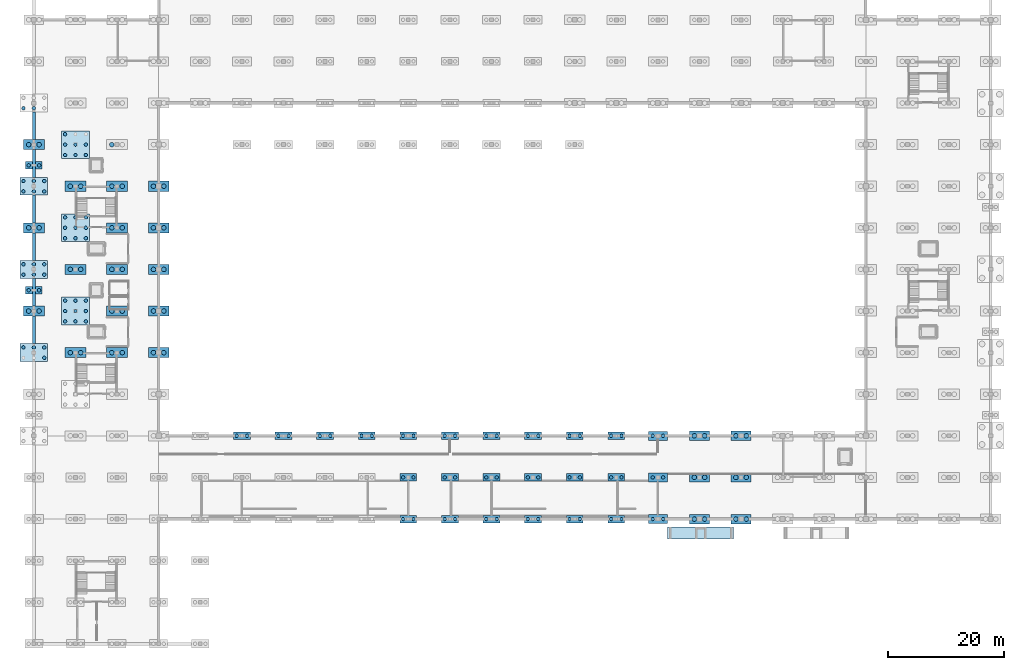
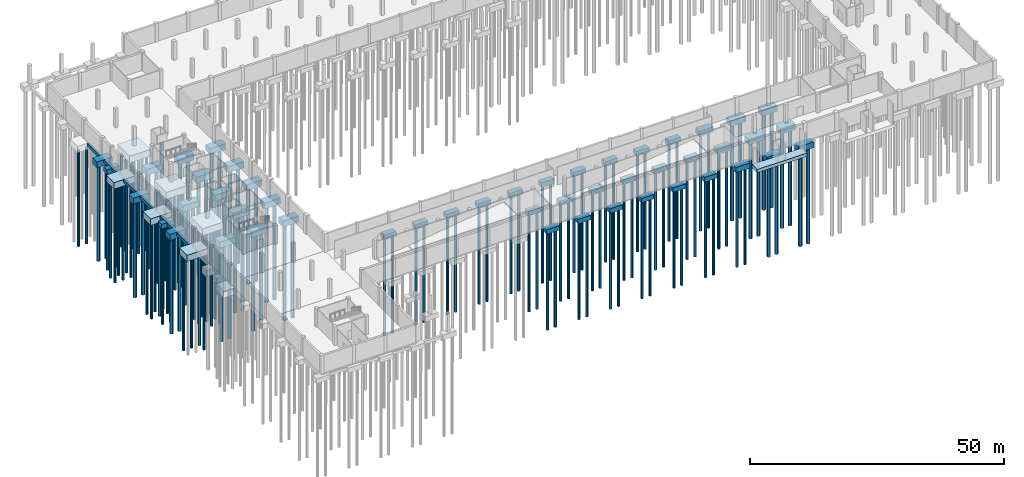
# One storey, part 2 of 18: 142 piles, 62 footings.
"""IFC4 building model written with IfcOpenShell, lengths in metres."""

from ifc_helpers import new_model, si_unit, direction, frame, origin, origin_2d, place, context, subcontext, project, spatial, rectangle, circle, extrude, material, material_profile, profile_set, type_object, element, save


model = new_model("IFC4")

# Units and contexts
model_context = context("Model", 3, precision=1e-05, world=origin(), true_north=direction((0.0, 1.0)))
body_context = subcontext(model_context, "Body", "Model", "MODEL_VIEW")
ifc_project = project(units=[si_unit("LENGTHUNIT", "METRE"), si_unit("AREAUNIT", "SQUARE_METRE"), si_unit("VOLUMEUNIT", "CUBIC_METRE"), si_unit("PLANEANGLEUNIT", "RADIAN"), si_unit("MASSUNIT", "GRAM", prefix="KILO")], contexts=[model_context])

# Site, building, storey
site_placement = place(None, origin())
site = spatial("IfcSite", under=ifc_project, at=site_placement, CompositionType="ELEMENT")
building_placement = place(site_placement, origin())
building = spatial("IfcBuilding", under=site, at=building_placement, Name="Kangsadwip Square Police Headquarters", CompositionType="ELEMENT")
storey_placement = place(building_placement, frame((0.0, 0.0, -4.5)))
storey = spatial("IfcBuildingStorey", under=building, at=storey_placement, Name="B1", CompositionType="ELEMENT", Elevation=-4.5)

# Footing
ifc_material_1 = material(Name="Concrete M35 (35 MPa)", Category="concrete")
footing_type_1 = type_object("IfcFootingType", Name="AccRampPadFooting800", PredefinedType="PAD_FOOTING", material=ifc_material_1)
footing_placement = place(storey_placement, frame((115.39990234375, 19.199951171875, -1.25), z_axis=(0.0, 0.0, 1.0), x_axis=(1.0, 0.0, 0.0)))
element("IfcFooting", 1, at=footing_placement, inside=storey, type_object=footing_type_1, Name="Accessible Ramp Pad Footing PF-AR-004", PredefinedType="PAD_FOOTING", context=body_context, shape_type="SweptSolid", body=[
    extrude(rectangle(XDim=11.39990234375, YDim=2.080078125, at=origin_2d()), origin(), (0.0, 0.0, 1.0), 0.800048828125),
])

# Piles
ifc_material_2 = material(Name="Concrete M30 (30 MPa)", Category="concrete")
ifc_material_profile_1 = material_profile(ifc_material_2, circle(Radius=0.300048828125, at=origin_2d()), Name="PILE DIA 600")
ifc_profile_set_1 = profile_set([ifc_material_profile_1], Name="Concrete M30 (30 MPa)")
pile_type_1 = type_object("IfcPileType", Name="BoredPileDia600", PredefinedType="BORED", material=ifc_profile_set_1)
for number, where, z_axis, x_axis, name in (
    (2, (1.800048828125, 49.5, -1.89990234375), (0.0, 0.0, -1.0), (1.0, 0.0, 0.0), "Bored Pile PILE-B1-0018-0495"),
    (3, (-1.800048828125, 51.300048828125, -1.89990234375), (0.0, 0.0, -1.0), (1.0, 0.0, 0.0), "Bored Pile PILE-B1--018-0513"),
    (4, (0.0, 51.300048828125, -1.89990234375), (0.0, 0.0, -1.0), (1.0, 0.0, 0.0), "Bored Pile PILE-B1-0000-0513"),
    (5, (1.800048828125, 51.300048828125, -1.89990234375), (0.0, 0.0, -1.0), (1.0, 0.0, 0.0), "Bored Pile PILE-B1-0018-0513"),
    (6, (-1.800048828125, 63.89990234375, -1.89990234375), (0.0, 0.0, -1.0), (1.0, 0.0, 0.0), "Bored Pile PILE-B1--018-0639"),
    (7, (0.0, 63.89990234375, -1.89990234375), (0.0, 0.0, -1.0), (1.0, 0.0, 0.0), "Bored Pile PILE-B1-0000-0639"),
    (8, (1.800048828125, 63.89990234375, -1.89990234375), (0.0, 0.0, -1.0), (1.0, 0.0, 0.0), "Bored Pile PILE-B1-0018-0639"),
    (9, (-1.800048828125, 65.699951171875, -1.89990234375), (0.0, 0.0, -1.0), (1.0, 0.0, 0.0), "Bored Pile PILE-B1--018-0657"),
    (10, (0.0, 65.699951171875, -1.89990234375), (0.0, 0.0, -1.0), (1.0, 0.0, 0.0), "Bored Pile PILE-B1-0000-0657"),
    (11, (1.800048828125, 65.699951171875, -1.89990234375), (0.0, 0.0, -1.0), (1.0, 0.0, 0.0), "Bored Pile PILE-B1-0018-0657"),
    (12, (-1.800048828125, 78.300048828125, -1.89990234375), (0.0, 0.0, -1.0), (1.0, 0.0, 0.0), "Bored Pile PILE-B1--018-0783"),
    (13, (0.0, 78.300048828125, -1.89990234375), (0.0, 0.0, -1.0), (1.0, 0.0, 0.0), "Bored Pile PILE-B1-0000-0783"),
    (14, (1.800048828125, 78.300048828125, -1.89990234375), (0.0, 0.0, -1.0), (1.0, 0.0, 0.0), "Bored Pile PILE-B1-0018-0783"),
    (15, (-1.800048828125, 80.10009765625, -1.89990234375), (0.0, 0.0, -1.0), (1.0, 0.0, 0.0), "Bored Pile PILE-B1--018-0801"),
    (16, (0.0, 80.10009765625, -1.89990234375), (0.0, 0.0, -1.0), (1.0, 0.0, 0.0), "Bored Pile PILE-B1-0000-0801"),
    (17, (1.800048828125, 80.10009765625, -1.89990234375), (0.0, 0.0, -1.0), (1.0, 0.0, 0.0), "Bored Pile PILE-B1-0018-0801"),
    (18, (-1.800048828125, 92.699951171875, -1.89990234375), (0.0, 0.0, -1.0), (1.0, 0.0, 0.0), "Bored Pile PILE-B1--018-0927"),
    (19, (0.0, 92.699951171875, -1.89990234375), (0.0, 0.0, -1.0), (1.0, 0.0, 0.0), "Bored Pile PILE-B1-0000-0927"),
):
    element("IfcPile", number, at=place(storey_placement, frame(where, z_axis=z_axis, x_axis=x_axis)), inside=storey, type_object=pile_type_1, Name=name, PredefinedType="BORED", context=body_context, shape_type="SweptSolid", body=[
        extrude(circle(Radius=0.300048828125, at=origin_2d()), origin(), (0.0, 0.0, 1.0), 23.10009765625),
    ])
for number, where, z_axis, x_axis, name in (
    (20, (5.39990234375, 55.800048828125, -2.0), (0.0, 0.0, -1.0), (1.0, 0.0, 0.0), "Bored Pile PILE-B1-0054-0558"),
    (21, (7.199951171875, 55.800048828125, -2.0), (0.0, 0.0, -1.0), (1.0, 0.0, 0.0), "Bored Pile PILE-B1-0072-0558"),
    (22, (9.0, 55.800048828125, -2.0), (0.0, 0.0, -1.0), (1.0, 0.0, 0.0), "Bored Pile PILE-B1-0090-0558"),
    (23, (5.39990234375, 57.60009765625, -2.0), (0.0, 0.0, -1.0), (1.0, 0.0, 0.0), "Bored Pile PILE-B1-0054-0576"),
    (24, (7.199951171875, 57.60009765625, -2.0), (0.0, 0.0, -1.0), (1.0, 0.0, 0.0), "Bored Pile PILE-B1-0072-0576"),
    (25, (9.0, 57.60009765625, -2.0), (0.0, 0.0, -1.0), (1.0, 0.0, 0.0), "Bored Pile PILE-B1-0090-0576"),
    (26, (5.39990234375, 59.39990234375, -2.0), (0.0, 0.0, -1.0), (1.0, 0.0, 0.0), "Bored Pile PILE-B1-0054-0594"),
    (27, (7.199951171875, 59.39990234375, -2.0), (0.0, 0.0, -1.0), (1.0, 0.0, 0.0), "Bored Pile PILE-B1-0072-0594"),
    (28, (9.0, 59.39990234375, -2.0), (0.0, 0.0, -1.0), (1.0, 0.0, 0.0), "Bored Pile PILE-B1-0090-0594"),
    (29, (5.39990234375, 70.199951171875, -2.0), (0.0, 0.0, -1.0), (1.0, 0.0, 0.0), "Bored Pile PILE-B1-0054-0702"),
    (30, (7.199951171875, 70.199951171875, -2.0), (0.0, 0.0, -1.0), (1.0, 0.0, 0.0), "Bored Pile PILE-B1-0072-0702"),
    (31, (9.0, 70.199951171875, -2.0), (0.0, 0.0, -1.0), (1.0, 0.0, 0.0), "Bored Pile PILE-B1-0090-0702"),
    (32, (5.39990234375, 72.0, -2.0), (0.0, 0.0, -1.0), (1.0, 0.0, 0.0), "Bored Pile PILE-B1-0054-0720"),
    (33, (7.199951171875, 72.0, -2.0), (0.0, 0.0, -1.0), (1.0, 0.0, 0.0), "Bored Pile PILE-B1-0072-0720"),
    (34, (9.0, 72.0, -2.0), (0.0, 0.0, -1.0), (1.0, 0.0, 0.0), "Bored Pile PILE-B1-0090-0720"),
    (35, (5.39990234375, 73.800048828125, -2.0), (0.0, 0.0, -1.0), (1.0, 0.0, 0.0), "Bored Pile PILE-B1-0054-0738"),
    (36, (7.199951171875, 73.800048828125, -2.0), (0.0, 0.0, -1.0), (1.0, 0.0, 0.0), "Bored Pile PILE-B1-0072-0738"),
    (37, (9.0, 73.800048828125, -2.0), (0.0, 0.0, -1.0), (1.0, 0.0, 0.0), "Bored Pile PILE-B1-0090-0738"),
    (38, (5.39990234375, 84.60009765625, -2.0), (0.0, 0.0, -1.0), (1.0, 0.0, 0.0), "Bored Pile PILE-B1-0054-0846"),
    (39, (7.199951171875, 84.60009765625, -2.0), (0.0, 0.0, -1.0), (1.0, 0.0, 0.0), "Bored Pile PILE-B1-0072-0846"),
    (40, (9.0, 84.60009765625, -2.0), (0.0, 0.0, -1.0), (1.0, 0.0, 0.0), "Bored Pile PILE-B1-0090-0846"),
    (41, (5.39990234375, 86.39990234375, -2.0), (0.0, 0.0, -1.0), (1.0, 0.0, 0.0), "Bored Pile PILE-B1-0054-0864"),
    (42, (7.199951171875, 86.39990234375, -2.0), (0.0, 0.0, -1.0), (1.0, 0.0, 0.0), "Bored Pile PILE-B1-0072-0864"),
    (43, (9.0, 86.39990234375, -2.0), (0.0, 0.0, -1.0), (1.0, 0.0, 0.0), "Bored Pile PILE-B1-0090-0864"),
    (44, (5.39990234375, 88.199951171875, -2.0), (0.0, 0.0, -1.0), (1.0, 0.0, 0.0), "Bored Pile PILE-B1-0054-0882"),
):
    element("IfcPile", number, at=place(storey_placement, frame(where, z_axis=z_axis, x_axis=x_axis)), inside=storey, type_object=pile_type_1, Name=name, PredefinedType="BORED", context=body_context, shape_type="SweptSolid", body=[
        extrude(circle(Radius=0.300048828125, at=origin_2d()), origin(), (0.0, 0.0, 1.0), 23.0),
    ])
for number, where, z_axis, x_axis, name in (
    (45, (35.10009765625, 36.0, -1.449951171875), (0.0, 0.0, -1.0), (1.0, 0.0, 0.0), "Bored Pile PILE-B1-0351-0360"),
    (46, (36.89990234375, 36.0, -1.449951171875), (0.0, 0.0, -1.0), (1.0, 0.0, 0.0), "Bored Pile PILE-B1-0369-0360"),
    (47, (42.300048828125, 36.0, -1.449951171875), (0.0, 0.0, -1.0), (1.0, 0.0, 0.0), "Bored Pile PILE-B1-0423-0360"),
    (48, (44.10009765625, 36.0, -1.449951171875), (0.0, 0.0, -1.0), (1.0, 0.0, 0.0), "Bored Pile PILE-B1-0441-0360"),
    (49, (49.5, 36.0, -1.449951171875), (0.0, 0.0, -1.0), (1.0, 0.0, 0.0), "Bored Pile PILE-B1-0495-0360"),
    (50, (51.300048828125, 36.0, -1.449951171875), (0.0, 0.0, -1.0), (1.0, 0.0, 0.0), "Bored Pile PILE-B1-0513-0360"),
    (51, (56.699951171875, 36.0, -1.449951171875), (0.0, 0.0, -1.0), (1.0, 0.0, 0.0), "Bored Pile PILE-B1-0567-0360"),
    (52, (58.5, 36.0, -1.449951171875), (0.0, 0.0, -1.0), (1.0, 0.0, 0.0), "Bored Pile PILE-B1-0585-0360"),
    (53, (63.89990234375, 21.60009765625, -1.449951171875), (0.0, 0.0, -1.0), (1.0, 0.0, 0.0), "Bored Pile PILE-B1-0639-0216"),
    (54, (65.699951171875, 21.60009765625, -1.449951171875), (0.0, 0.0, -1.0), (1.0, 0.0, 0.0), "Bored Pile PILE-B1-0657-0216"),
    (55, (63.89990234375, 28.800048828125, -1.449951171875), (0.0, 0.0, -1.0), (1.0, 0.0, 0.0), "Bored Pile PILE-B1-0639-0288"),
    (56, (65.699951171875, 28.800048828125, -1.449951171875), (0.0, 0.0, -1.0), (1.0, 0.0, 0.0), "Bored Pile PILE-B1-0657-0288"),
    (57, (63.89990234375, 36.0, -1.449951171875), (0.0, 0.0, -1.0), (1.0, 0.0, 0.0), "Bored Pile PILE-B1-0639-0360"),
    (58, (65.699951171875, 36.0, -1.449951171875), (0.0, 0.0, -1.0), (1.0, 0.0, 0.0), "Bored Pile PILE-B1-0657-0360"),
    (59, (71.10009765625, 21.60009765625, -1.449951171875), (0.0, 0.0, -1.0), (1.0, 0.0, 0.0), "Bored Pile PILE-B1-0711-0216"),
    (60, (72.89990234375, 21.60009765625, -1.449951171875), (0.0, 0.0, -1.0), (1.0, 0.0, 0.0), "Bored Pile PILE-B1-0729-0216"),
    (61, (71.10009765625, 28.800048828125, -1.449951171875), (0.0, 0.0, -1.0), (1.0, 0.0, 0.0), "Bored Pile PILE-B1-0711-0288"),
    (62, (72.89990234375, 28.800048828125, -1.449951171875), (0.0, 0.0, -1.0), (1.0, 0.0, 0.0), "Bored Pile PILE-B1-0729-0288"),
    (63, (71.10009765625, 36.0, -1.449951171875), (0.0, 0.0, -1.0), (1.0, 0.0, 0.0), "Bored Pile PILE-B1-0711-0360"),
    (64, (72.89990234375, 36.0, -1.449951171875), (0.0, 0.0, -1.0), (1.0, 0.0, 0.0), "Bored Pile PILE-B1-0729-0360"),
    (65, (78.300048828125, 21.60009765625, -1.449951171875), (0.0, 0.0, -1.0), (1.0, 0.0, 0.0), "Bored Pile PILE-B1-0783-0216"),
    (66, (80.10009765625, 21.60009765625, -1.449951171875), (0.0, 0.0, -1.0), (1.0, 0.0, 0.0), "Bored Pile PILE-B1-0801-0216"),
    (67, (78.300048828125, 28.800048828125, -1.449951171875), (0.0, 0.0, -1.0), (1.0, 0.0, 0.0), "Bored Pile PILE-B1-0783-0288"),
    (68, (80.10009765625, 28.800048828125, -1.449951171875), (0.0, 0.0, -1.0), (1.0, 0.0, 0.0), "Bored Pile PILE-B1-0801-0288"),
    (69, (78.300048828125, 36.0, -1.449951171875), (0.0, 0.0, -1.0), (1.0, 0.0, 0.0), "Bored Pile PILE-B1-0783-0360"),
    (70, (80.10009765625, 36.0, -1.449951171875), (0.0, 0.0, -1.0), (1.0, 0.0, 0.0), "Bored Pile PILE-B1-0801-0360"),
    (71, (85.5, 21.60009765625, -1.449951171875), (0.0, 0.0, -1.0), (1.0, 0.0, 0.0), "Bored Pile PILE-B1-0855-0216"),
    (72, (87.300048828125, 21.60009765625, -1.449951171875), (0.0, 0.0, -1.0), (1.0, 0.0, 0.0), "Bored Pile PILE-B1-0873-0216"),
    (73, (85.5, 28.800048828125, -1.449951171875), (0.0, 0.0, -1.0), (1.0, 0.0, 0.0), "Bored Pile PILE-B1-0855-0288"),
    (74, (87.300048828125, 28.800048828125, -1.449951171875), (0.0, 0.0, -1.0), (1.0, 0.0, 0.0), "Bored Pile PILE-B1-0873-0288"),
    (75, (85.5, 36.0, -1.449951171875), (0.0, 0.0, -1.0), (1.0, 0.0, 0.0), "Bored Pile PILE-B1-0855-0360"),
    (76, (87.300048828125, 36.0, -1.449951171875), (0.0, 0.0, -1.0), (1.0, 0.0, 0.0), "Bored Pile PILE-B1-0873-0360"),
    (77, (92.699951171875, 21.60009765625, -1.449951171875), (0.0, 0.0, -1.0), (1.0, 0.0, 0.0), "Bored Pile PILE-B1-0927-0216"),
    (78, (94.5, 21.60009765625, -1.449951171875), (0.0, 0.0, -1.0), (1.0, 0.0, 0.0), "Bored Pile PILE-B1-0945-0216"),
    (79, (92.699951171875, 28.800048828125, -1.449951171875), (0.0, 0.0, -1.0), (1.0, 0.0, 0.0), "Bored Pile PILE-B1-0927-0288"),
    (80, (94.5, 28.800048828125, -1.449951171875), (0.0, 0.0, -1.0), (1.0, 0.0, 0.0), "Bored Pile PILE-B1-0945-0288"),
    (81, (92.699951171875, 36.0, -1.449951171875), (0.0, 0.0, -1.0), (1.0, 0.0, 0.0), "Bored Pile PILE-B1-0927-0360"),
    (82, (94.5, 36.0, -1.449951171875), (0.0, 0.0, -1.0), (1.0, 0.0, 0.0), "Bored Pile PILE-B1-0945-0360"),
    (83, (99.89990234375, 21.60009765625, -1.449951171875), (0.0, 0.0, -1.0), (1.0, 0.0, 0.0), "Bored Pile PILE-B1-0999-0216"),
    (84, (101.699951171875, 21.60009765625, -1.449951171875), (0.0, 0.0, -1.0), (1.0, 0.0, 0.0), "Bored Pile PILE-B1-1017-0216"),
    (85, (99.89990234375, 28.800048828125, -1.449951171875), (0.0, 0.0, -1.0), (1.0, 0.0, 0.0), "Bored Pile PILE-B1-0999-0288"),
    (86, (101.699951171875, 28.800048828125, -1.449951171875), (0.0, 0.0, -1.0), (1.0, 0.0, 0.0), "Bored Pile PILE-B1-1017-0288"),
    (87, (99.89990234375, 36.0, -1.449951171875), (0.0, 0.0, -1.0), (1.0, 0.0, 0.0), "Bored Pile PILE-B1-0999-0360"),
    (88, (101.699951171875, 36.0, -1.449951171875), (0.0, 0.0, -1.0), (1.0, 0.0, 0.0), "Bored Pile PILE-B1-1017-0360"),
):
    element("IfcPile", number, at=place(storey_placement, frame(where, z_axis=z_axis, x_axis=x_axis)), inside=storey, type_object=pile_type_1, Name=name, PredefinedType="BORED", context=body_context, shape_type="SweptSolid", body=[
        extrude(circle(Radius=0.300048828125, at=origin_2d()), origin(), (0.0, 0.0, 1.0), 23.550048828125),
    ])
for number, where, z_axis, x_axis, name in (
    (89, (107.10009765625, 21.60009765625, -1.60009765625), (0.0, 0.0, -1.0), (1.0, 0.0, 0.0), "Bored Pile PILE-B1-1071-0216"),
    (90, (108.89990234375, 21.60009765625, -1.60009765625), (0.0, 0.0, -1.0), (1.0, 0.0, 0.0), "Bored Pile PILE-B1-1089-0216"),
    (91, (107.10009765625, 28.800048828125, -1.60009765625), (0.0, 0.0, -1.0), (1.0, 0.0, 0.0), "Bored Pile PILE-B1-1071-0288"),
    (92, (108.89990234375, 28.800048828125, -1.60009765625), (0.0, 0.0, -1.0), (1.0, 0.0, 0.0), "Bored Pile PILE-B1-1089-0288"),
    (93, (107.10009765625, 36.0, -1.60009765625), (0.0, 0.0, -1.0), (1.0, 0.0, 0.0), "Bored Pile PILE-B1-1071-0360"),
    (94, (108.89990234375, 36.0, -1.60009765625), (0.0, 0.0, -1.0), (1.0, 0.0, 0.0), "Bored Pile PILE-B1-1089-0360"),
):
    element("IfcPile", number, at=place(storey_placement, frame(where, z_axis=z_axis, x_axis=x_axis)), inside=storey, type_object=pile_type_1, Name=name, PredefinedType="BORED", context=body_context, shape_type="SweptSolid", body=[
        extrude(circle(Radius=0.300048828125, at=origin_2d()), origin(), (0.0, 0.0, 1.0), 23.39990234375),
    ])
for number, where, z_axis, x_axis, name in (
    (95, (-0.89990234375, 61.199951171875, -1.449951171875), (0.0, 0.0, -1.0), (1.0, 0.0, 0.0), "Bored Pile PILE-B1--009-0612"),
    (96, (0.89990234375, 61.199951171875, -1.449951171875), (0.0, 0.0, -1.0), (1.0, 0.0, 0.0), "Bored Pile PILE-B1-0009-0612"),
    (97, (-0.89990234375, 82.800048828125, -1.449951171875), (0.0, 0.0, -1.0), (1.0, 0.0, 0.0), "Bored Pile PILE-B1--009-0828"),
    (98, (0.89990234375, 82.800048828125, -1.449951171875), (0.0, 0.0, -1.0), (1.0, 0.0, 0.0), "Bored Pile PILE-B1-0009-0828"),
):
    element("IfcPile", number, at=place(storey_placement, frame(where, z_axis=z_axis, x_axis=x_axis)), inside=storey, type_object=pile_type_1, Name=name, PredefinedType="BORED", context=body_context, shape_type="SweptSolid", body=[
        extrude(circle(Radius=0.300048828125, at=origin_2d()), origin(), (0.0, 0.0, 1.0), 23.550048828125),
    ])
ifc_material_3 = material(Name="Concrete M30 (30 MPa)", Category="concrete")
ifc_material_profile_2 = material_profile(ifc_material_3, circle(Radius=0.39990234375, at=origin_2d()), Name="PILE DIA 800")
ifc_profile_set_2 = profile_set([ifc_material_profile_2], Name="Concrete M30 (30 MPa)")
pile_type_2 = type_object("IfcPileType", Name="BoredPileDia800", PredefinedType="BORED", material=ifc_profile_set_2)
for number, where, z_axis, x_axis, name in (
    (99, (-0.89990234375, 57.60009765625, -1.800048828125), (0.0, 0.0, -1.0), (1.0, 0.0, 0.0), "Bored Pile PILE-B1--009-0576"),
    (100, (0.89990234375, 57.60009765625, -1.800048828125), (0.0, 0.0, -1.0), (1.0, 0.0, 0.0), "Bored Pile PILE-B1-0009-0576"),
    (101, (-0.89990234375, 72.0, -1.800048828125), (0.0, 0.0, -1.0), (1.0, 0.0, 0.0), "Bored Pile PILE-B1--009-0720"),
    (102, (0.89990234375, 72.0, -1.800048828125), (0.0, 0.0, -1.0), (1.0, 0.0, 0.0), "Bored Pile PILE-B1-0009-0720"),
    (103, (-0.89990234375, 86.39990234375, -1.800048828125), (0.0, 0.0, -1.0), (1.0, 0.0, 0.0), "Bored Pile PILE-B1--009-0864"),
    (104, (0.89990234375, 86.39990234375, -1.800048828125), (0.0, 0.0, -1.0), (1.0, 0.0, 0.0), "Bored Pile PILE-B1-0009-0864"),
    (105, (6.300048828125, 50.39990234375, -1.800048828125), (0.0, 0.0, -1.0), (1.0, 0.0, 0.0), "Bored Pile PILE-B1-0063-0504"),
    (106, (8.10009765625, 50.39990234375, -1.800048828125), (0.0, 0.0, -1.0), (1.0, 0.0, 0.0), "Bored Pile PILE-B1-0081-0504"),
    (107, (6.300048828125, 64.800048828125, -1.800048828125), (0.0, 0.0, -1.0), (1.0, 0.0, 0.0), "Bored Pile PILE-B1-0063-0648"),
    (108, (8.10009765625, 64.800048828125, -1.800048828125), (0.0, 0.0, -1.0), (1.0, 0.0, 0.0), "Bored Pile PILE-B1-0081-0648"),
    (109, (6.300048828125, 79.199951171875, -1.800048828125), (0.0, 0.0, -1.0), (1.0, 0.0, 0.0), "Bored Pile PILE-B1-0063-0792"),
    (110, (8.10009765625, 79.199951171875, -1.800048828125), (0.0, 0.0, -1.0), (1.0, 0.0, 0.0), "Bored Pile PILE-B1-0081-0792"),
    (111, (13.5, 50.39990234375, -1.800048828125), (0.0, 0.0, -1.0), (1.0, 0.0, 0.0), "Bored Pile PILE-B1-0135-0504"),
    (112, (15.300048828125, 50.39990234375, -1.800048828125), (0.0, 0.0, -1.0), (1.0, 0.0, 0.0), "Bored Pile PILE-B1-0153-0504"),
    (113, (13.5, 57.60009765625, -1.800048828125), (0.0, 0.0, -1.0), (1.0, 0.0, 0.0), "Bored Pile PILE-B1-0135-0576"),
    (114, (15.300048828125, 57.60009765625, -1.800048828125), (0.0, 0.0, -1.0), (1.0, 0.0, 0.0), "Bored Pile PILE-B1-0153-0576"),
    (115, (13.5, 64.800048828125, -1.800048828125), (0.0, 0.0, -1.0), (1.0, 0.0, 0.0), "Bored Pile PILE-B1-0135-0648"),
    (116, (15.300048828125, 64.800048828125, -1.800048828125), (0.0, 0.0, -1.0), (1.0, 0.0, 0.0), "Bored Pile PILE-B1-0153-0648"),
    (117, (13.5, 72.0, -1.800048828125), (0.0, 0.0, -1.0), (1.0, 0.0, 0.0), "Bored Pile PILE-B1-0135-0720"),
    (118, (15.300048828125, 72.0, -1.800048828125), (0.0, 0.0, -1.0), (1.0, 0.0, 0.0), "Bored Pile PILE-B1-0153-0720"),
    (119, (13.5, 79.199951171875, -1.800048828125), (0.0, 0.0, -1.0), (1.0, 0.0, 0.0), "Bored Pile PILE-B1-0135-0792"),
    (120, (15.300048828125, 79.199951171875, -1.800048828125), (0.0, 0.0, -1.0), (1.0, 0.0, 0.0), "Bored Pile PILE-B1-0153-0792"),
    (121, (13.5, 86.39990234375, -1.800048828125), (0.0, 0.0, -1.0), (1.0, 0.0, 0.0), "Bored Pile PILE-B1-0135-0864"),
    (122, (20.699951171875, 50.39990234375, -1.800048828125), (0.0, 0.0, -1.0), (1.0, 0.0, 0.0), "Bored Pile PILE-B1-0207-0504"),
    (123, (22.5, 50.39990234375, -1.800048828125), (0.0, 0.0, -1.0), (1.0, 0.0, 0.0), "Bored Pile PILE-B1-0225-0504"),
    (124, (20.699951171875, 57.60009765625, -1.800048828125), (0.0, 0.0, -1.0), (1.0, 0.0, 0.0), "Bored Pile PILE-B1-0207-0576"),
    (125, (22.5, 57.60009765625, -1.800048828125), (0.0, 0.0, -1.0), (1.0, 0.0, 0.0), "Bored Pile PILE-B1-0225-0576"),
    (126, (20.699951171875, 64.800048828125, -1.800048828125), (0.0, 0.0, -1.0), (1.0, 0.0, 0.0), "Bored Pile PILE-B1-0207-0648"),
    (127, (22.5, 64.800048828125, -1.800048828125), (0.0, 0.0, -1.0), (1.0, 0.0, 0.0), "Bored Pile PILE-B1-0225-0648"),
    (128, (20.699951171875, 72.0, -1.800048828125), (0.0, 0.0, -1.0), (1.0, 0.0, 0.0), "Bored Pile PILE-B1-0207-0720"),
    (129, (22.5, 72.0, -1.800048828125), (0.0, 0.0, -1.0), (1.0, 0.0, 0.0), "Bored Pile PILE-B1-0225-0720"),
    (130, (20.699951171875, 79.199951171875, -1.800048828125), (0.0, 0.0, -1.0), (1.0, 0.0, 0.0), "Bored Pile PILE-B1-0207-0792"),
    (131, (22.5, 79.199951171875, -1.800048828125), (0.0, 0.0, -1.0), (1.0, 0.0, 0.0), "Bored Pile PILE-B1-0225-0792"),
):
    element("IfcPile", number, at=place(storey_placement, frame(where, z_axis=z_axis, x_axis=x_axis)), inside=storey, type_object=pile_type_2, Name=name, PredefinedType="BORED", context=body_context, shape_type="SweptSolid", body=[
        extrude(circle(Radius=0.39990234375, at=origin_2d()), origin(), (0.0, 0.0, 1.0), 23.199951171875),
    ])
for number, where, z_axis, x_axis, name in (
    (132, (114.300048828125, 21.60009765625, -1.699951171875), (0.0, 0.0, -1.0), (1.0, 0.0, 0.0), "Bored Pile PILE-B1-1143-0216"),
    (133, (116.10009765625, 21.60009765625, -1.699951171875), (0.0, 0.0, -1.0), (1.0, 0.0, 0.0), "Bored Pile PILE-B1-1161-0216"),
    (134, (114.300048828125, 28.800048828125, -1.699951171875), (0.0, 0.0, -1.0), (1.0, 0.0, 0.0), "Bored Pile PILE-B1-1143-0288"),
    (135, (116.10009765625, 28.800048828125, -1.699951171875), (0.0, 0.0, -1.0), (1.0, 0.0, 0.0), "Bored Pile PILE-B1-1161-0288"),
    (136, (114.300048828125, 36.0, -1.699951171875), (0.0, 0.0, -1.0), (1.0, 0.0, 0.0), "Bored Pile PILE-B1-1143-0360"),
    (137, (116.10009765625, 36.0, -1.699951171875), (0.0, 0.0, -1.0), (1.0, 0.0, 0.0), "Bored Pile PILE-B1-1161-0360"),
    (138, (121.5, 21.60009765625, -1.699951171875), (0.0, 0.0, -1.0), (1.0, 0.0, 0.0), "Bored Pile PILE-B1-1215-0216"),
    (139, (123.300048828125, 21.60009765625, -1.699951171875), (0.0, 0.0, -1.0), (1.0, 0.0, 0.0), "Bored Pile PILE-B1-1233-0216"),
    (140, (121.5, 28.800048828125, -1.699951171875), (0.0, 0.0, -1.0), (1.0, 0.0, 0.0), "Bored Pile PILE-B1-1215-0288"),
    (141, (123.300048828125, 28.800048828125, -1.699951171875), (0.0, 0.0, -1.0), (1.0, 0.0, 0.0), "Bored Pile PILE-B1-1233-0288"),
    (142, (121.5, 36.0, -1.699951171875), (0.0, 0.0, -1.0), (1.0, 0.0, 0.0), "Bored Pile PILE-B1-1215-0360"),
    (143, (123.300048828125, 36.0, -1.699951171875), (0.0, 0.0, -1.0), (1.0, 0.0, 0.0), "Bored Pile PILE-B1-1233-0360"),
):
    element("IfcPile", number, at=place(storey_placement, frame(where, z_axis=z_axis, x_axis=x_axis)), inside=storey, type_object=pile_type_2, Name=name, PredefinedType="BORED", context=body_context, shape_type="SweptSolid", body=[
        extrude(circle(Radius=0.39990234375, at=origin_2d()), origin(), (0.0, 0.0, 1.0), 23.300048828125),
    ])

# Footings
ifc_material_4 = material(Name="Concrete M35 (35 MPa)", Category="concrete")
footing_type_2 = type_object("IfcFootingType", Name="PileCap2P2900x1300x1100", PredefinedType="PILE_CAP", material=ifc_material_4)
for number, where, z_axis, x_axis, name in (
    (144, (36.0, 36.0, -1.550048828125), (0.0, 0.0, 1.0), (1.0, 0.0, 0.0), "Pile Cap PC-B1-081"),
    (145, (43.199951171875, 36.0, -1.550048828125), (0.0, 0.0, 1.0), (1.0, 0.0, 0.0), "Pile Cap PC-B1-089"),
    (146, (50.39990234375, 36.0, -1.550048828125), (0.0, 0.0, 1.0), (1.0, 0.0, 0.0), "Pile Cap PC-B1-097"),
    (147, (57.60009765625, 36.0, -1.550048828125), (0.0, 0.0, 1.0), (1.0, 0.0, 0.0), "Pile Cap PC-B1-105"),
    (148, (64.800048828125, 21.60009765625, -1.550048828125), (0.0, 0.0, 1.0), (1.0, 0.0, 0.0), "Pile Cap PC-B1-111"),
    (149, (64.800048828125, 28.800048828125, -1.550048828125), (0.0, 0.0, 1.0), (1.0, 0.0, 0.0), "Pile Cap PC-B1-112"),
    (150, (64.800048828125, 36.0, -1.550048828125), (0.0, 0.0, 1.0), (1.0, 0.0, 0.0), "Pile Cap PC-B1-113"),
    (151, (72.0, 21.60009765625, -1.550048828125), (0.0, 0.0, 1.0), (1.0, 0.0, 0.0), "Pile Cap PC-B1-119"),
    (152, (72.0, 28.800048828125, -1.550048828125), (0.0, 0.0, 1.0), (1.0, 0.0, 0.0), "Pile Cap PC-B1-120"),
    (153, (72.0, 36.0, -1.550048828125), (0.0, 0.0, 1.0), (1.0, 0.0, 0.0), "Pile Cap PC-B1-121"),
    (154, (79.199951171875, 21.60009765625, -1.550048828125), (0.0, 0.0, 1.0), (1.0, 0.0, 0.0), "Pile Cap PC-B1-127"),
    (155, (79.199951171875, 28.800048828125, -1.550048828125), (0.0, 0.0, 1.0), (1.0, 0.0, 0.0), "Pile Cap PC-B1-128"),
    (156, (79.199951171875, 36.0, -1.550048828125), (0.0, 0.0, 1.0), (1.0, 0.0, 0.0), "Pile Cap PC-B1-129"),
    (157, (86.39990234375, 21.60009765625, -1.550048828125), (0.0, 0.0, 1.0), (1.0, 0.0, 0.0), "Pile Cap PC-B1-135"),
    (158, (86.39990234375, 28.800048828125, -1.550048828125), (0.0, 0.0, 1.0), (1.0, 0.0, 0.0), "Pile Cap PC-B1-136"),
    (159, (86.39990234375, 36.0, -1.550048828125), (0.0, 0.0, 1.0), (1.0, 0.0, 0.0), "Pile Cap PC-B1-137"),
    (160, (93.60009765625, 21.60009765625, -1.550048828125), (0.0, 0.0, 1.0), (1.0, 0.0, 0.0), "Pile Cap PC-B1-143"),
    (161, (93.60009765625, 28.800048828125, -1.550048828125), (0.0, 0.0, 1.0), (1.0, 0.0, 0.0), "Pile Cap PC-B1-144"),
    (162, (93.60009765625, 36.0, -1.550048828125), (0.0, 0.0, 1.0), (1.0, 0.0, 0.0), "Pile Cap PC-B1-145"),
    (163, (100.800048828125, 21.60009765625, -1.550048828125), (0.0, 0.0, 1.0), (1.0, 0.0, 0.0), "Pile Cap PC-B1-151"),
    (164, (100.800048828125, 28.800048828125, -1.550048828125), (0.0, 0.0, 1.0), (1.0, 0.0, 0.0), "Pile Cap PC-B1-152"),
    (165, (100.800048828125, 36.0, -1.550048828125), (0.0, 0.0, 1.0), (1.0, 0.0, 0.0), "Pile Cap PC-B1-153"),
    (166, (0.0, 61.199951171875, -1.550048828125), (0.0, 0.0, 1.0), (1.0, 0.0, 0.0), "Pile Cap PC-B1-250"),
    (167, (0.0, 82.800048828125, -1.550048828125), (0.0, 0.0, 1.0), (1.0, 0.0, 0.0), "Pile Cap PC-B1-251"),
):
    element("IfcFooting", number, at=place(storey_placement, frame(where, z_axis=z_axis, x_axis=x_axis)), inside=storey, type_object=footing_type_2, Name=name, PredefinedType="PILE_CAP", context=body_context, shape_type="SweptSolid", body=[
        extrude(rectangle(XDim=2.89990234375, YDim=1.300048828125, at=origin_2d()), origin(), (0.0, 0.0, 1.0), 1.10009765625),
    ])
ifc_material_5 = material(Name="Concrete M35 (35 MPa)", Category="concrete")
footing_type_3 = type_object("IfcFootingType", Name="PileCap2P3250x1550x1250", PredefinedType="PILE_CAP", material=ifc_material_5)
for number, where, z_axis, x_axis, name in (
    (168, (108.0, 21.60009765625, -1.699951171875), (0.0, 0.0, 1.0), (1.0, 0.0, 0.0), "Pile Cap PC-B1-158"),
    (169, (108.0, 28.800048828125, -1.699951171875), (0.0, 0.0, 1.0), (1.0, 0.0, 0.0), "Pile Cap PC-B1-159"),
    (170, (108.0, 36.0, -1.699951171875), (0.0, 0.0, 1.0), (1.0, 0.0, 0.0), "Pile Cap PC-B1-160"),
):
    element("IfcFooting", number, at=place(storey_placement, frame(where, z_axis=z_axis, x_axis=x_axis)), inside=storey, type_object=footing_type_3, Name=name, PredefinedType="PILE_CAP", context=body_context, shape_type="SweptSolid", body=[
        extrude(rectangle(XDim=3.25, YDim=1.550048828125, at=origin_2d()), origin(), (0.0, 0.0, 1.0), 1.25),
    ])
ifc_material_6 = material(Name="Concrete M35 (35 MPa)", Category="concrete")
footing_type_4 = type_object("IfcFootingType", Name="PileCap2P3500x1650x1350", PredefinedType="PILE_CAP", material=ifc_material_6)
for number, where, z_axis, x_axis, name in (
    (171, (115.199951171875, 21.60009765625, -1.800048828125), (0.0, 0.0, 1.0), (1.0, 0.0, 0.0), "Pile Cap PC-B1-165"),
    (172, (115.199951171875, 28.800048828125, -1.800048828125), (0.0, 0.0, 1.0), (1.0, 0.0, 0.0), "Pile Cap PC-B1-166"),
    (173, (115.199951171875, 36.0, -1.800048828125), (0.0, 0.0, 1.0), (1.0, 0.0, 0.0), "Pile Cap PC-B1-167"),
    (174, (122.39990234375, 21.60009765625, -1.800048828125), (0.0, 0.0, 1.0), (1.0, 0.0, 0.0), "Pile Cap PC-B1-172"),
    (175, (122.39990234375, 28.800048828125, -1.800048828125), (0.0, 0.0, 1.0), (1.0, 0.0, 0.0), "Pile Cap PC-B1-173"),
    (176, (122.39990234375, 36.0, -1.800048828125), (0.0, 0.0, 1.0), (1.0, 0.0, 0.0), "Pile Cap PC-B1-174"),
):
    element("IfcFooting", number, at=place(storey_placement, frame(where, z_axis=z_axis, x_axis=x_axis)), inside=storey, type_object=footing_type_4, Name=name, PredefinedType="PILE_CAP", context=body_context, shape_type="SweptSolid", body=[
        extrude(rectangle(XDim=3.5, YDim=1.64990234375, at=origin_2d()), origin(), (0.0, 0.0, 1.0), 1.35009765625),
    ])
ifc_material_7 = material(Name="Concrete M35 (35 MPa)", Category="concrete")
footing_type_5 = type_object("IfcFootingType", Name="PileCap2P3600x1750x1450", PredefinedType="PILE_CAP", material=ifc_material_7)
for number, where, z_axis, x_axis, name in (
    (177, (0.0, 57.60009765625, -1.89990234375), (0.0, 0.0, 1.0), (1.0, 0.0, 0.0), "Pile Cap PC-B1-009"),
    (178, (0.0, 72.0, -1.89990234375), (0.0, 0.0, 1.0), (1.0, 0.0, 0.0), "Pile Cap PC-B1-011"),
    (179, (0.0, 86.39990234375, -1.89990234375), (0.0, 0.0, 1.0), (1.0, 0.0, 0.0), "Pile Cap PC-B1-013"),
    (180, (7.199951171875, 50.39990234375, -1.89990234375), (0.0, 0.0, 1.0), (1.0, 0.0, 0.0), "Pile Cap PC-B1-025"),
    (181, (7.199951171875, 64.800048828125, -1.89990234375), (0.0, 0.0, 1.0), (1.0, 0.0, 0.0), "Pile Cap PC-B1-027"),
    (182, (7.199951171875, 79.199951171875, -1.89990234375), (0.0, 0.0, 1.0), (1.0, 0.0, 0.0), "Pile Cap PC-B1-029"),
    (183, (14.39990234375, 50.39990234375, -1.89990234375), (0.0, 0.0, 1.0), (1.0, 0.0, 0.0), "Pile Cap PC-B1-042"),
    (184, (14.39990234375, 57.60009765625, -1.89990234375), (0.0, 0.0, 1.0), (1.0, 0.0, 0.0), "Pile Cap PC-B1-043"),
    (185, (14.39990234375, 64.800048828125, -1.89990234375), (0.0, 0.0, 1.0), (1.0, 0.0, 0.0), "Pile Cap PC-B1-044"),
    (186, (14.39990234375, 72.0, -1.89990234375), (0.0, 0.0, 1.0), (1.0, 0.0, 0.0), "Pile Cap PC-B1-045"),
    (187, (14.39990234375, 79.199951171875, -1.89990234375), (0.0, 0.0, 1.0), (1.0, 0.0, 0.0), "Pile Cap PC-B1-046"),
    (188, (21.60009765625, 50.39990234375, -1.89990234375), (0.0, 0.0, 1.0), (1.0, 0.0, 0.0), "Pile Cap PC-B1-059"),
    (189, (21.60009765625, 57.60009765625, -1.89990234375), (0.0, 0.0, 1.0), (1.0, 0.0, 0.0), "Pile Cap PC-B1-060"),
    (190, (21.60009765625, 64.800048828125, -1.89990234375), (0.0, 0.0, 1.0), (1.0, 0.0, 0.0), "Pile Cap PC-B1-061"),
    (191, (21.60009765625, 72.0, -1.89990234375), (0.0, 0.0, 1.0), (1.0, 0.0, 0.0), "Pile Cap PC-B1-062"),
    (192, (21.60009765625, 79.199951171875, -1.89990234375), (0.0, 0.0, 1.0), (1.0, 0.0, 0.0), "Pile Cap PC-B1-063"),
):
    element("IfcFooting", number, at=place(storey_placement, frame(where, z_axis=z_axis, x_axis=x_axis)), inside=storey, type_object=footing_type_5, Name=name, PredefinedType="PILE_CAP", context=body_context, shape_type="SweptSolid", body=[
        extrude(rectangle(XDim=3.60009765625, YDim=1.75, at=origin_2d()), origin(), (0.0, 0.0, 1.0), 1.449951171875),
    ])
ifc_material_8 = material(Name="Concrete M35 (35 MPa)", Category="concrete")
footing_type_6 = type_object("IfcFootingType", Name="PileCap6P4800x3100x1550", PredefinedType="PILE_CAP", material=ifc_material_8)
for number, where, z_axis, x_axis, name in (
    (193, (0.0, 50.39990234375, -2.0), (0.0, 0.0, 1.0), (1.0, 0.0, 0.0), "Pile Cap PC-B1-008"),
    (194, (0.0, 64.800048828125, -2.0), (0.0, 0.0, 1.0), (1.0, 0.0, 0.0), "Pile Cap PC-B1-010"),
    (195, (0.0, 79.199951171875, -2.0), (0.0, 0.0, 1.0), (1.0, 0.0, 0.0), "Pile Cap PC-B1-012"),
):
    element("IfcFooting", number, at=place(storey_placement, frame(where, z_axis=z_axis, x_axis=x_axis)), inside=storey, type_object=footing_type_6, Name=name, PredefinedType="PILE_CAP", context=body_context, shape_type="SweptSolid", body=[
        extrude(rectangle(XDim=4.800048828125, YDim=3.10009765625, at=origin_2d()), origin(), (0.0, 0.0, 1.0), 1.550048828125),
    ])
ifc_material_9 = material(Name="Concrete M35 (35 MPa)", Category="concrete")
footing_type_7 = type_object("IfcFootingType", Name="PileCap9P4800x4800x1650", PredefinedType="PILE_CAP", material=ifc_material_9)
for number, where, z_axis, x_axis, name in (
    (196, (7.199951171875, 57.60009765625, -2.099853515625), (0.0, 0.0, 1.0), (1.0, 0.0, 0.0), "Pile Cap PC-B1-026"),
    (197, (7.199951171875, 72.0, -2.099853515625), (0.0, 0.0, 1.0), (1.0, 0.0, 0.0), "Pile Cap PC-B1-028"),
    (198, (7.199951171875, 86.39990234375, -2.099853515625), (0.0, 0.0, 1.0), (1.0, 0.0, 0.0), "Pile Cap PC-B1-030"),
):
    element("IfcFooting", number, at=place(storey_placement, frame(where, z_axis=z_axis, x_axis=x_axis)), inside=storey, type_object=footing_type_7, Name=name, PredefinedType="PILE_CAP", context=body_context, shape_type="SweptSolid", body=[
        extrude(rectangle(XDim=4.800048828125, YDim=4.800048828125, at=origin_2d()), origin(), (0.0, 0.0, 1.0), 1.64990234375),
    ])
ifc_material_10 = material(Name="Concrete M35 (35 MPa)", Category="concrete")
footing_type_8 = type_object("IfcFootingType", Name="TieGroundBeam4775x500", PredefinedType="FOOTING_BEAM", material=ifc_material_10)
for number, where, z_axis, x_axis, name in (
    (199, (0.0, 54.33740234375, -1.14990234375), (0.0, 0.0, 1.0), (0.0, 1.0, 0.0), "Foundation GB-B1-009"),
    (200, (0.0, 60.862548828125, -1.14990234375), (0.0, 0.0, 1.0), (0.0, 1.0, 0.0), "Foundation GB-B1-010"),
    (201, (0.0, 68.737548828125, -1.14990234375), (0.0, 0.0, 1.0), (0.0, 1.0, 0.0), "Foundation GB-B1-011"),
    (202, (0.0, 75.262451171875, -1.14990234375), (0.0, 0.0, 1.0), (0.0, 1.0, 0.0), "Foundation GB-B1-012"),
    (203, (0.0, 83.137451171875, -1.14990234375), (0.0, 0.0, 1.0), (0.0, 1.0, 0.0), "Foundation GB-B1-013"),
    (204, (0.0, 89.66259765625, -1.14990234375), (0.0, 0.0, 1.0), (0.0, 1.0, 0.0), "Foundation GB-B1-014"),
):
    element("IfcFooting", number, at=place(storey_placement, frame(where, z_axis=z_axis, x_axis=x_axis)), inside=storey, type_object=footing_type_8, Name=name, PredefinedType="FOOTING_BEAM", context=body_context, shape_type="SweptSolid", body=[
        extrude(rectangle(XDim=4.77490234375, YDim=0.5, at=origin_2d()), origin(), (0.0, 0.0, 1.0), 0.699951171875),
    ])

save(model, "model.ifc")
